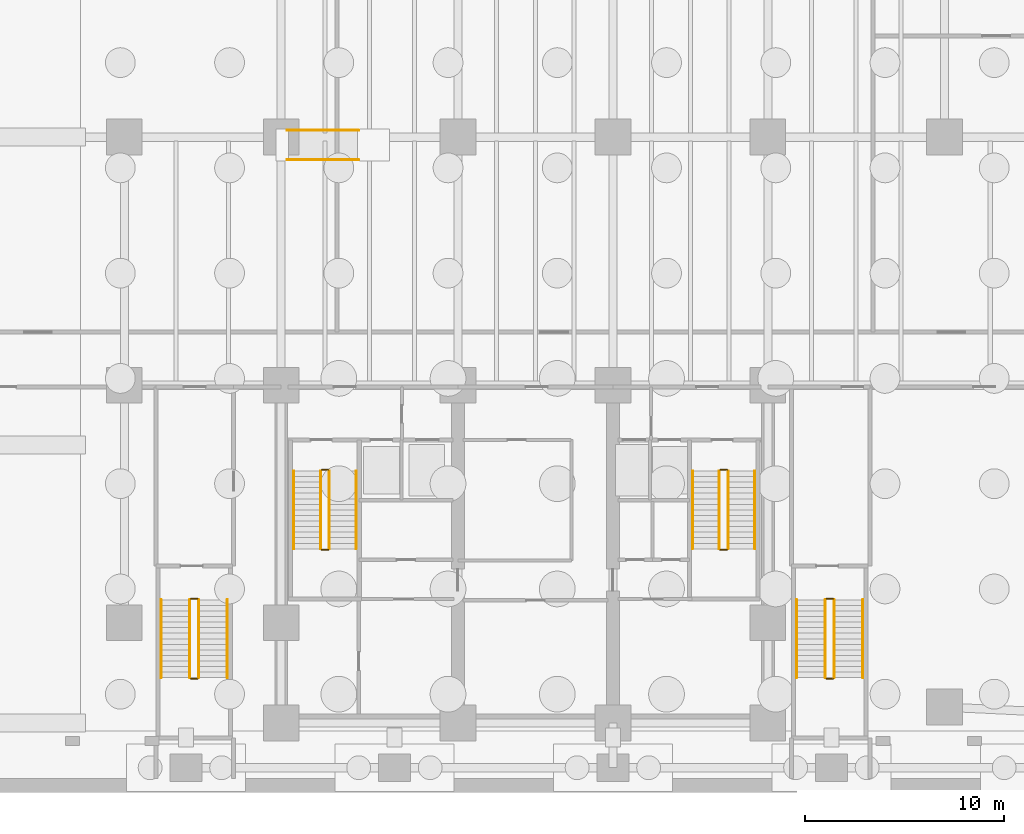
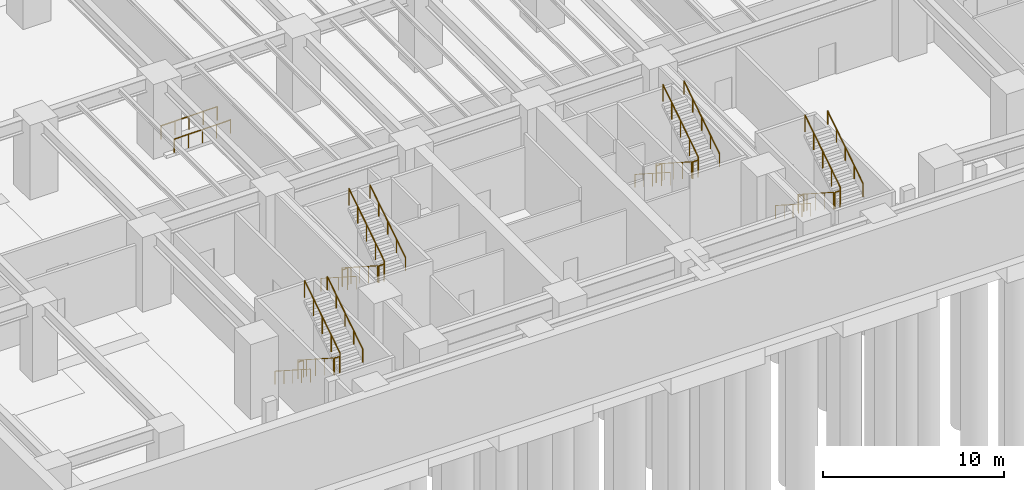
# One storey, part 11 of 12: 26 railings.
"""IFC4 building model written with IfcOpenShell, lengths in metres."""

import ifcopenshell
import ifcopenshell.guid

model = None  # the IFC model being written
_history = None  # IfcOwnerHistory: only IFC2X3 demands one
_inside = {}  # id of a spatial element -> (the spatial element, [elements in it])
_under = {}  # id of a project, library or spatial element -> (it, [spatial elements below it])
_declared = {}  # id of a project -> (the project, [libraries it declares])
_typed = {}  # id of a type object -> (the type object, [elements of that type])
_made_of = {}  # id of a material, layer set ... -> (it, [elements and type objects made of it])


def new_model(schema):
    """Start an empty IFC model of exactly this schema.

    Asked for "IFC4X3", IfcOpenShell would pick the latest addendum, in which some entities
    have other attributes; the version numbers below select the first issue.
    IFC2X3 requires an IfcOwnerHistory on every rooted entity: one is made here for all.
    """
    global model, _history
    if schema == "IFC4X3":
        model = ifcopenshell.file(schema_version=(4, 3, 0, 0))
    else:
        model = ifcopenshell.file(schema=schema)
    _inside.clear()
    _under.clear()
    _declared.clear()
    _typed.clear()
    _made_of.clear()
    _history = None
    if model.schema == "IFC2X3":
        org = make("IfcOrganization", Name="unknown")
        user = make(
            "IfcPersonAndOrganization",
            ThePerson=make("IfcPerson", FamilyName="unknown"),
            TheOrganization=org,
        )
        app = make(
            "IfcApplication",
            ApplicationDeveloper=org,
            Version="unknown",
            ApplicationFullName="unknown",
            ApplicationIdentifier="unknown",
        )
        _history = make(
            "IfcOwnerHistory",
            OwningUser=user,
            OwningApplication=app,
            ChangeAction="ADDED",
            CreationDate=0,
        )
    return model


def make(cls, **values):
    """One entity of the class cls with the attributes given. An attribute that is None is left unset."""
    return model.create_entity(
        cls, **{name: value for name, value in values.items() if value is not None}
    )


def rooted(cls, **values):
    """An entity with a GlobalId (a new one), such as an element, a storey or a relation."""
    return make(cls, GlobalId=ifcopenshell.guid.new(), OwnerHistory=_history, **values)


def si_unit(unit_type, name, prefix=None):
    """IfcSIUnit, for example si_unit("LENGTHUNIT", "METRE", prefix="MILLI")."""
    return make("IfcSIUnit", UnitType=unit_type, Prefix=prefix, Name=name)


def assignment(units):
    """IfcUnitAssignment: the units of a project."""
    return None if units is None else make("IfcUnitAssignment", Units=units)


def point(xyz):
    """IfcCartesianPoint."""
    return None if xyz is None else make("IfcCartesianPoint", Coordinates=xyz)


def direction(xyz):
    """IfcDirection."""
    return None if xyz is None else make("IfcDirection", DirectionRatios=xyz)


def frame(location, z_axis=None, x_axis=None):
    """IfcAxis2Placement3D, a coordinate frame: its origin and axes. An axis left out is left unset."""
    return make(
        "IfcAxis2Placement3D",
        Location=point(location),
        Axis=direction(z_axis),
        RefDirection=direction(x_axis),
    )


def frame_2d(location, x_axis=None):
    """IfcAxis2Placement2D, a coordinate frame in the plane: its origin and x axis."""
    return make(
        "IfcAxis2Placement2D", Location=point(location), RefDirection=direction(x_axis)
    )


def origin():
    """The frame at (0, 0, 0) with its axes left unset."""
    return frame((0.0, 0.0, 0.0))


def origin_2d():
    """The frame at (0, 0) in the plane with its x axis left unset."""
    return frame_2d((0.0, 0.0))


def place(relative_to, where):
    """IfcLocalPlacement: puts the frame where relative to a parent placement (None: the world)."""
    return make(
        "IfcLocalPlacement", PlacementRelTo=relative_to, RelativePlacement=where
    )


def context(
    kind, dimensions, precision=None, world=None, true_north=None, identifier=None
):
    """IfcGeometricRepresentationContext, for example the 3D "Model" context."""
    return make(
        "IfcGeometricRepresentationContext",
        ContextIdentifier=identifier,
        ContextType=kind,
        CoordinateSpaceDimension=dimensions,
        Precision=precision,
        WorldCoordinateSystem=world,
        TrueNorth=true_north,
    )


def subcontext(parent, identifier, kind, view, scale=None):
    """IfcGeometricRepresentationSubContext, for example "Body" below "Model"."""
    return make(
        "IfcGeometricRepresentationSubContext",
        ContextIdentifier=identifier,
        ContextType=kind,
        ParentContext=parent,
        TargetScale=scale,
        TargetView=view,
    )


def project(units=None, contexts=None):
    """IfcProject with its units and contexts."""
    return rooted(
        "IfcProject",
        Name="project",
        RepresentationContexts=contexts,
        UnitsInContext=assignment(units),
    )


def spatial(cls, under=None, at=None, **own):
    """A site, building, storey or space (cls), placed at a placement, below another one or the project."""
    s = rooted(cls, ObjectPlacement=at, **own)
    if under is not None:
        _under.setdefault(under.id(), (under, []))[1].append(s)
    return s


def profile(cls, at=None, kind="AREA", **sizes):
    """A parametric profile (cls). Its sizes go by their IFC names, for example OverallWidth=200.0."""
    return make(cls, ProfileType=kind, Position=at, **sizes)


def circle(**sizes):
    """IfcCircleProfileDef."""
    return profile("IfcCircleProfileDef", **sizes)


def extrude(swept, where, along, depth):
    """IfcExtrudedAreaSolid: the profile swept, set in the frame where, extruded along a direction by depth."""
    return make(
        "IfcExtrudedAreaSolid",
        SweptArea=swept,
        Position=where,
        ExtrudedDirection=direction(along),
        Depth=depth,
    )


def shape(context_of_items, identifier, shape_type, items):
    """IfcShapeRepresentation: the items that make up one representation, for example the "Body"."""
    return make(
        "IfcShapeRepresentation",
        ContextOfItems=context_of_items,
        RepresentationIdentifier=identifier,
        RepresentationType=shape_type,
        Items=items,
    )


def material(Name=None, Category=None):
    """IfcMaterial."""
    return make("IfcMaterial", Name=Name, Category=Category)


def made_of(thing, what):
    """Note that an element or type object is made of a material, layer set ...; save() writes the relation."""
    if what is not None:
        _made_of.setdefault(what.id(), (what, []))[1].append(thing)
    return thing


def type_object(cls, material=None, **own):
    """A type object (cls), such as IfcWallType, which elements share."""
    return made_of(rooted(cls, **own), material)


def element(
    cls,
    number,
    at=None,
    inside=None,
    cuts=None,
    type_object=None,
    material=None,
    context=None,
    identifier="Body",
    shape_type=None,
    held_by="IfcProductDefinitionShape",
    body=None,
    shapes=None,
    **own,
):
    """One element of the class cls, such as IfcWall. Its Tag is "e" and its number.

    at: its placement. inside: the storey or other place that contains it. cuts: it is an
    opening in that element (IfcRelVoidsElement). A single representation is given by context,
    identifier, shape_type and body (its items); several are given by shapes. held_by: the class
    of the entity that holds the representations. save() writes the other relations.
    """
    e = rooted(cls, Tag="e%d" % number, ObjectPlacement=at, **own)
    if body is not None:
        shapes = [shape(context, identifier, shape_type, body)]
    if shapes is not None:
        e.Representation = make(held_by, Representations=shapes)
    if inside is not None:
        _inside.setdefault(inside.id(), (inside, []))[1].append(e)
    if cuts is not None:
        rooted(
            "IfcRelVoidsElement", RelatingBuildingElement=cuts, RelatedOpeningElement=e
        )
    if type_object is not None:
        _typed.setdefault(type_object.id(), (type_object, []))[1].append(e)
    return made_of(e, material)


def aggregate(whole, parts):
    """IfcRelAggregates: a whole, such as a stair, and the parts it consists of."""
    return rooted("IfcRelAggregates", RelatingObject=whole, RelatedObjects=parts)


def save(model, path):
    """Write the relations noted so far, then the file.

    IfcRelAggregates (storeys below a building ...), IfcRelContainedInSpatialStructure (elements
    in a storey), IfcRelDefinesByType, IfcRelAssociatesMaterial and IfcRelDeclares: one each for
    every whole, place, type object, material and project.
    """
    for whole, parts in _under.values():
        aggregate(whole, parts)
    for where, things in _inside.values():
        rooted(
            "IfcRelContainedInSpatialStructure",
            RelatedElements=things,
            RelatingStructure=where,
        )
    for kind, things in _typed.values():
        rooted("IfcRelDefinesByType", RelatedObjects=things, RelatingType=kind)
    for what, things in _made_of.values():
        rooted("IfcRelAssociatesMaterial", RelatedObjects=things, RelatingMaterial=what)
    for by, libraries in _declared.values():
        rooted("IfcRelDeclares", RelatingContext=by, RelatedDefinitions=libraries)
    model.write(path)


model = new_model("IFC4")

# Units and contexts
model_context = context("Model", 3, precision=1e-05, world=origin(), true_north=direction((0.0, 1.0)))
body_context = subcontext(model_context, "Body", "Model", "MODEL_VIEW")
ifc_project = project(units=[si_unit("LENGTHUNIT", "METRE"), si_unit("AREAUNIT", "SQUARE_METRE"), si_unit("VOLUMEUNIT", "CUBIC_METRE"), si_unit("PLANEANGLEUNIT", "RADIAN"), si_unit("MASSUNIT", "GRAM", prefix="KILO")], contexts=[model_context])

# Site, building, storey
site_placement = place(None, origin())
site = spatial("IfcSite", under=ifc_project, at=site_placement, CompositionType="ELEMENT")
building_placement = place(site_placement, origin())
building = spatial("IfcBuilding", under=site, at=building_placement, Name="Qalmaran Belvedere Hotel", CompositionType="ELEMENT")
storey_placement = place(building_placement, frame((0.0, 0.0, -5.39990234375)))
storey = spatial("IfcBuildingStorey", under=building, at=storey_placement, Name="B01", CompositionType="ELEMENT", Elevation=-5.39990234375)

# Railings
ifc_material_1 = material(Name="Anodised Bronze Aluminium", Category="aluminium")
railing_type_1 = type_object("IfcRailingType", Name="RLG-RAMP-HAND-920", PredefinedType="HANDRAIL", material=ifc_material_1)
for number, where, name in (
    (1, (20.60009765625, 31.860107421875, 0.199951171875), "B01 Ramp Handrail S"),
    (2, (20.60009765625, 33.340087890625, 0.199951171875), "B01 Ramp Handrail N"),
):
    element("IfcRailing", number, at=place(storey_placement, frame(where)), inside=storey, type_object=railing_type_1, Name=name, PredefinedType="HANDRAIL", context=body_context, shape_type="SweptSolid", body=[
        extrude(circle(Radius=0.02392578125, at=origin_2d()), frame((0.0, 0.0, 0.89599609375), z_axis=(0.999938151687, 0.0, 0.011121726475), x_axis=(0.0, 1.0, 0.0)), (0.0, 0.0, 1.0), 3.60009765625),
        extrude(circle(Radius=0.02099609375, at=origin_2d()), origin(), (0.0, 0.0, 1.0), 0.871826171875),
        extrude(circle(Radius=0.02099609375, at=origin_2d()), frame((0.89990234375, 0.0, 0.010009765625)), (0.0, 0.0, 1.0), 0.871826171875),
        extrude(circle(Radius=0.02099609375, at=origin_2d()), frame((1.7998046875, 0.0, 0.02001953125)), (0.0, 0.0, 1.0), 0.871826171875),
        extrude(circle(Radius=0.02099609375, at=origin_2d()), frame((2.699951171875, 0.0, 0.030029296875)), (0.0, 0.0, 1.0), 0.871826171875),
        extrude(circle(Radius=0.02099609375, at=origin_2d()), frame((3.599853515625, 0.0, 0.0400390625)), (0.0, 0.0, 1.0), 0.871826171875),
    ])
ifc_material_2 = material(Name="Stainless Steel 1.4401", Category="steel")
railing_type_2 = type_object("IfcRailingType", Name="RLG-STAIR-GUARD-1150", PredefinedType="GUARDRAIL", material=ifc_material_2)
railing_1_placement = place(storey_placement, frame((22.280029296875, 16.18994140625, 0.179931640625)))
element("IfcRailing", 3, at=railing_1_placement, inside=storey, type_object=railing_type_2, Name="B01 ST-1 stair guard 1", PredefinedType="GUARDRAIL", context=body_context, shape_type="SweptSolid", body=[
    extrude(circle(Radius=0.02392578125, at=origin_2d()), frame((0.0, 0.0, 1.1259765625), z_axis=(0.0, -0.841171666519, 0.540768182723), x_axis=(1.0, 0.0, 0.0)), (0.0, 0.0, 1.0), 4.66015625),
    extrude(circle(Radius=0.02099609375, at=origin_2d()), origin(), (0.0, 0.0, 1.0), 1.101806640625),
    extrude(circle(Radius=0.02099609375, at=origin_2d()), frame((0.0, -0.97998046875, 0.6298828125)), (0.0, 0.0, 1.0), 1.101806640625),
    extrude(circle(Radius=0.02099609375, at=origin_2d()), frame((0.0, -1.9599609375, 1.260009765625)), (0.0, 0.0, 1.0), 1.101806640625),
    extrude(circle(Radius=0.02099609375, at=origin_2d()), frame((0.0, -2.93994140625, 1.89013671875)), (0.0, 0.0, 1.0), 1.101806640625),
    extrude(circle(Radius=0.02099609375, at=origin_2d()), frame((0.0, -3.919921875, 2.52001953125)), (0.0, 0.0, 1.0), 1.101806640625),
])
railing_2_placement = place(storey_placement, frame((22.330078125, 12.219970703125, 2.699951171875)))
element("IfcRailing", 4, at=railing_2_placement, inside=storey, type_object=railing_type_2, Name="B01 ST-1 stair guard 2", PredefinedType="GUARDRAIL", context=body_context, shape_type="SweptSolid", body=[
    extrude(circle(Radius=0.02392578125, at=origin_2d()), frame((0.0, 0.0, 1.1259765625), z_axis=(1.0, 0.0, 0.0), x_axis=(0.0, 1.0, 0.0)), (0.0, 0.0, 1.0), 0.33984375),
    extrude(circle(Radius=0.02099609375, at=origin_2d()), origin(), (0.0, 0.0, 1.0), 1.101806640625),
    extrude(circle(Radius=0.02099609375, at=origin_2d()), frame((0.33984375, 0.0, 0.0)), (0.0, 0.0, 1.0), 1.101806640625),
])
railing_3_placement = place(storey_placement, frame((22.719970703125, 12.27001953125, 2.8798828125)))
element("IfcRailing", 5, at=railing_3_placement, inside=storey, type_object=railing_type_2, Name="B01 ST-1 stair guard 3", PredefinedType="GUARDRAIL", context=body_context, shape_type="SweptSolid", body=[
    extrude(circle(Radius=0.02392578125, at=origin_2d()), frame((0.0, 0.0, 1.1259765625), z_axis=(0.0, 0.841171666519, 0.540768182723), x_axis=(-1.0, 0.0, 0.0)), (0.0, 0.0, 1.0), 4.66015625),
    extrude(circle(Radius=0.02099609375, at=origin_2d()), origin(), (0.0, 0.0, 1.0), 1.101806640625),
    extrude(circle(Radius=0.02099609375, at=origin_2d()), frame((0.0, 0.97998046875, 0.6298828125)), (0.0, 0.0, 1.0), 1.101806640625),
    extrude(circle(Radius=0.02099609375, at=origin_2d()), frame((0.0, 1.9599609375, 1.260009765625)), (0.0, 0.0, 1.0), 1.101806640625),
    extrude(circle(Radius=0.02099609375, at=origin_2d()), frame((0.0, 2.93994140625, 1.89013671875)), (0.0, 0.0, 1.0), 1.101806640625),
    extrude(circle(Radius=0.02099609375, at=origin_2d()), frame((0.0, 3.919921875, 2.52001953125)), (0.0, 0.0, 1.0), 1.101806640625),
])
railing_4_placement = place(storey_placement, frame((22.330078125, 16.239990234375, 0.0)))
element("IfcRailing", 6, at=railing_4_placement, inside=storey, type_object=railing_type_2, Name="B01 ST-1 stair guard 4", PredefinedType="GUARDRAIL", context=body_context, shape_type="SweptSolid", body=[
    extrude(circle(Radius=0.02392578125, at=origin_2d()), frame((0.0, 0.0, 1.1259765625), z_axis=(1.0, 0.0, 0.0), x_axis=(0.0, 1.0, 0.0)), (0.0, 0.0, 1.0), 0.33984375),
    extrude(circle(Radius=0.02099609375, at=origin_2d()), origin(), (0.0, 0.0, 1.0), 1.101806640625),
    extrude(circle(Radius=0.02099609375, at=origin_2d()), frame((0.33984375, 0.0, 0.0)), (0.0, 0.0, 1.0), 1.101806640625),
])
railing_5_placement = place(storey_placement, frame((42.360107421875, 16.18994140625, 0.179931640625)))
element("IfcRailing", 7, at=railing_5_placement, inside=storey, type_object=railing_type_2, Name="B01 ST-2 stair guard 1", PredefinedType="GUARDRAIL", context=body_context, shape_type="SweptSolid", body=[
    extrude(circle(Radius=0.02392578125, at=origin_2d()), frame((0.0, 0.0, 1.1259765625), z_axis=(0.0, -0.841171666519, 0.540768182723), x_axis=(1.0, 0.0, 0.0)), (0.0, 0.0, 1.0), 4.66015625),
    extrude(circle(Radius=0.02099609375, at=origin_2d()), origin(), (0.0, 0.0, 1.0), 1.101806640625),
    extrude(circle(Radius=0.02099609375, at=origin_2d()), frame((0.0, -0.97998046875, 0.6298828125)), (0.0, 0.0, 1.0), 1.101806640625),
    extrude(circle(Radius=0.02099609375, at=origin_2d()), frame((0.0, -1.9599609375, 1.260009765625)), (0.0, 0.0, 1.0), 1.101806640625),
    extrude(circle(Radius=0.02099609375, at=origin_2d()), frame((0.0, -2.93994140625, 1.89013671875)), (0.0, 0.0, 1.0), 1.101806640625),
    extrude(circle(Radius=0.02099609375, at=origin_2d()), frame((0.0, -3.919921875, 2.52001953125)), (0.0, 0.0, 1.0), 1.101806640625),
])
railing_6_placement = place(storey_placement, frame((42.409912109375, 12.219970703125, 2.699951171875)))
element("IfcRailing", 8, at=railing_6_placement, inside=storey, type_object=railing_type_2, Name="B01 ST-2 stair guard 2", PredefinedType="GUARDRAIL", context=body_context, shape_type="SweptSolid", body=[
    extrude(circle(Radius=0.02392578125, at=origin_2d()), frame((0.0, 0.0, 1.1259765625), z_axis=(1.0, 0.0, 0.0), x_axis=(0.0, 1.0, 0.0)), (0.0, 0.0, 1.0), 0.340087890625),
    extrude(circle(Radius=0.02099609375, at=origin_2d()), origin(), (0.0, 0.0, 1.0), 1.101806640625),
    extrude(circle(Radius=0.02099609375, at=origin_2d()), frame((0.340087890625, 0.0, 0.0)), (0.0, 0.0, 1.0), 1.101806640625),
])
railing_7_placement = place(storey_placement, frame((42.800048828125, 12.27001953125, 2.8798828125)))
element("IfcRailing", 9, at=railing_7_placement, inside=storey, type_object=railing_type_2, Name="B01 ST-2 stair guard 3", PredefinedType="GUARDRAIL", context=body_context, shape_type="SweptSolid", body=[
    extrude(circle(Radius=0.02392578125, at=origin_2d()), frame((0.0, 0.0, 1.1259765625), z_axis=(0.0, 0.841171666519, 0.540768182723), x_axis=(-1.0, 0.0, 0.0)), (0.0, 0.0, 1.0), 4.66015625),
    extrude(circle(Radius=0.02099609375, at=origin_2d()), origin(), (0.0, 0.0, 1.0), 1.101806640625),
    extrude(circle(Radius=0.02099609375, at=origin_2d()), frame((0.0, 0.97998046875, 0.6298828125)), (0.0, 0.0, 1.0), 1.101806640625),
    extrude(circle(Radius=0.02099609375, at=origin_2d()), frame((0.0, 1.9599609375, 1.260009765625)), (0.0, 0.0, 1.0), 1.101806640625),
    extrude(circle(Radius=0.02099609375, at=origin_2d()), frame((0.0, 2.93994140625, 1.89013671875)), (0.0, 0.0, 1.0), 1.101806640625),
    extrude(circle(Radius=0.02099609375, at=origin_2d()), frame((0.0, 3.919921875, 2.52001953125)), (0.0, 0.0, 1.0), 1.101806640625),
])
railing_8_placement = place(storey_placement, frame((42.409912109375, 16.239990234375, 0.0)))
element("IfcRailing", 10, at=railing_8_placement, inside=storey, type_object=railing_type_2, Name="B01 ST-2 stair guard 4", PredefinedType="GUARDRAIL", context=body_context, shape_type="SweptSolid", body=[
    extrude(circle(Radius=0.02392578125, at=origin_2d()), frame((0.0, 0.0, 1.1259765625), z_axis=(1.0, 0.0, 0.0), x_axis=(0.0, 1.0, 0.0)), (0.0, 0.0, 1.0), 0.340087890625),
    extrude(circle(Radius=0.02099609375, at=origin_2d()), origin(), (0.0, 0.0, 1.0), 1.101806640625),
    extrude(circle(Radius=0.02099609375, at=origin_2d()), frame((0.340087890625, 0.0, 0.0)), (0.0, 0.0, 1.0), 1.101806640625),
])
railing_9_placement = place(storey_placement, frame((15.699951171875, 9.699951171875, 0.179931640625)))
element("IfcRailing", 11, at=railing_9_placement, inside=storey, type_object=railing_type_2, Name="B01 ST-P1 stair guard 1", PredefinedType="GUARDRAIL", context=body_context, shape_type="SweptSolid", body=[
    extrude(circle(Radius=0.02392578125, at=origin_2d()), frame((0.0, 0.0, 1.1259765625), z_axis=(0.0, -0.841171666519, 0.540768182723), x_axis=(1.0, 0.0, 0.0)), (0.0, 0.0, 1.0), 4.66015625),
    extrude(circle(Radius=0.02099609375, at=origin_2d()), origin(), (0.0, 0.0, 1.0), 1.101806640625),
    extrude(circle(Radius=0.02099609375, at=origin_2d()), frame((0.0, -0.97998046875, 0.6298828125)), (0.0, 0.0, 1.0), 1.101806640625),
    extrude(circle(Radius=0.02099609375, at=origin_2d()), frame((0.0, -1.9599609375, 1.260009765625)), (0.0, 0.0, 1.0), 1.101806640625),
    extrude(circle(Radius=0.02099609375, at=origin_2d()), frame((0.0, -2.93994140625, 1.89013671875)), (0.0, 0.0, 1.0), 1.101806640625),
    extrude(circle(Radius=0.02099609375, at=origin_2d()), frame((0.0, -3.919921875, 2.52001953125)), (0.0, 0.0, 1.0), 1.101806640625),
])
railing_10_placement = place(storey_placement, frame((15.75, 5.72998046875, 2.699951171875)))
element("IfcRailing", 12, at=railing_10_placement, inside=storey, type_object=railing_type_2, Name="B01 ST-P1 stair guard 2", PredefinedType="GUARDRAIL", context=body_context, shape_type="SweptSolid", body=[
    extrude(circle(Radius=0.02392578125, at=origin_2d()), frame((0.0, 0.0, 1.1259765625), z_axis=(1.0, 0.0, 0.0), x_axis=(0.0, 1.0, 0.0)), (0.0, 0.0, 1.0), 0.340087890625),
    extrude(circle(Radius=0.02099609375, at=origin_2d()), origin(), (0.0, 0.0, 1.0), 1.101806640625),
    extrude(circle(Radius=0.02099609375, at=origin_2d()), frame((0.340087890625, 0.0, 0.0)), (0.0, 0.0, 1.0), 1.101806640625),
])
railing_11_placement = place(storey_placement, frame((16.139892578125, 5.780029296875, 2.8798828125)))
element("IfcRailing", 13, at=railing_11_placement, inside=storey, type_object=railing_type_2, Name="B01 ST-P1 stair guard 3", PredefinedType="GUARDRAIL", context=body_context, shape_type="SweptSolid", body=[
    extrude(circle(Radius=0.02392578125, at=origin_2d()), frame((0.0, 0.0, 1.1259765625), z_axis=(0.0, 0.841171666519, 0.540768182723), x_axis=(-1.0, 0.0, 0.0)), (0.0, 0.0, 1.0), 4.66015625),
    extrude(circle(Radius=0.02099609375, at=origin_2d()), origin(), (0.0, 0.0, 1.0), 1.101806640625),
    extrude(circle(Radius=0.02099609375, at=origin_2d()), frame((0.0, 0.97998046875, 0.6298828125)), (0.0, 0.0, 1.0), 1.101806640625),
    extrude(circle(Radius=0.02099609375, at=origin_2d()), frame((0.0, 1.9599609375, 1.260009765625)), (0.0, 0.0, 1.0), 1.101806640625),
    extrude(circle(Radius=0.02099609375, at=origin_2d()), frame((0.0, 2.93994140625, 1.89013671875)), (0.0, 0.0, 1.0), 1.101806640625),
    extrude(circle(Radius=0.02099609375, at=origin_2d()), frame((0.0, 3.919921875, 2.52001953125)), (0.0, 0.0, 1.0), 1.101806640625),
])
railing_12_placement = place(storey_placement, frame((15.75, 9.75, 0.0)))
element("IfcRailing", 14, at=railing_12_placement, inside=storey, type_object=railing_type_2, Name="B01 ST-P1 stair guard 4", PredefinedType="GUARDRAIL", context=body_context, shape_type="SweptSolid", body=[
    extrude(circle(Radius=0.02392578125, at=origin_2d()), frame((0.0, 0.0, 1.1259765625), z_axis=(1.0, 0.0, 0.0), x_axis=(0.0, 1.0, 0.0)), (0.0, 0.0, 1.0), 0.340087890625),
    extrude(circle(Radius=0.02099609375, at=origin_2d()), origin(), (0.0, 0.0, 1.0), 1.101806640625),
    extrude(circle(Radius=0.02099609375, at=origin_2d()), frame((0.340087890625, 0.0, 0.0)), (0.0, 0.0, 1.0), 1.101806640625),
])
railing_13_placement = place(storey_placement, frame((47.699951171875, 9.699951171875, 0.179931640625)))
element("IfcRailing", 15, at=railing_13_placement, inside=storey, type_object=railing_type_2, Name="B01 ST-P2 stair guard 1", PredefinedType="GUARDRAIL", context=body_context, shape_type="SweptSolid", body=[
    extrude(circle(Radius=0.02392578125, at=origin_2d()), frame((0.0, 0.0, 1.1259765625), z_axis=(0.0, -0.841171666519, 0.540768182723), x_axis=(1.0, 0.0, 0.0)), (0.0, 0.0, 1.0), 4.66015625),
    extrude(circle(Radius=0.02099609375, at=origin_2d()), origin(), (0.0, 0.0, 1.0), 1.101806640625),
    extrude(circle(Radius=0.02099609375, at=origin_2d()), frame((0.0, -0.97998046875, 0.6298828125)), (0.0, 0.0, 1.0), 1.101806640625),
    extrude(circle(Radius=0.02099609375, at=origin_2d()), frame((0.0, -1.9599609375, 1.260009765625)), (0.0, 0.0, 1.0), 1.101806640625),
    extrude(circle(Radius=0.02099609375, at=origin_2d()), frame((0.0, -2.93994140625, 1.89013671875)), (0.0, 0.0, 1.0), 1.101806640625),
    extrude(circle(Radius=0.02099609375, at=origin_2d()), frame((0.0, -3.919921875, 2.52001953125)), (0.0, 0.0, 1.0), 1.101806640625),
])
railing_14_placement = place(storey_placement, frame((47.75, 5.72998046875, 2.699951171875)))
element("IfcRailing", 16, at=railing_14_placement, inside=storey, type_object=railing_type_2, Name="B01 ST-P2 stair guard 2", PredefinedType="GUARDRAIL", context=body_context, shape_type="SweptSolid", body=[
    extrude(circle(Radius=0.02392578125, at=origin_2d()), frame((0.0, 0.0, 1.1259765625), z_axis=(1.0, 0.0, 0.0), x_axis=(0.0, 1.0, 0.0)), (0.0, 0.0, 1.0), 0.340087890625),
    extrude(circle(Radius=0.02099609375, at=origin_2d()), origin(), (0.0, 0.0, 1.0), 1.101806640625),
    extrude(circle(Radius=0.02099609375, at=origin_2d()), frame((0.340087890625, 0.0, 0.0)), (0.0, 0.0, 1.0), 1.101806640625),
])
railing_15_placement = place(storey_placement, frame((48.139892578125, 5.780029296875, 2.8798828125)))
element("IfcRailing", 17, at=railing_15_placement, inside=storey, type_object=railing_type_2, Name="B01 ST-P2 stair guard 3", PredefinedType="GUARDRAIL", context=body_context, shape_type="SweptSolid", body=[
    extrude(circle(Radius=0.02392578125, at=origin_2d()), frame((0.0, 0.0, 1.1259765625), z_axis=(0.0, 0.841171666519, 0.540768182723), x_axis=(-1.0, 0.0, 0.0)), (0.0, 0.0, 1.0), 4.66015625),
    extrude(circle(Radius=0.02099609375, at=origin_2d()), origin(), (0.0, 0.0, 1.0), 1.101806640625),
    extrude(circle(Radius=0.02099609375, at=origin_2d()), frame((0.0, 0.97998046875, 0.6298828125)), (0.0, 0.0, 1.0), 1.101806640625),
    extrude(circle(Radius=0.02099609375, at=origin_2d()), frame((0.0, 1.9599609375, 1.260009765625)), (0.0, 0.0, 1.0), 1.101806640625),
    extrude(circle(Radius=0.02099609375, at=origin_2d()), frame((0.0, 2.93994140625, 1.89013671875)), (0.0, 0.0, 1.0), 1.101806640625),
    extrude(circle(Radius=0.02099609375, at=origin_2d()), frame((0.0, 3.919921875, 2.52001953125)), (0.0, 0.0, 1.0), 1.101806640625),
])
railing_16_placement = place(storey_placement, frame((47.75, 9.75, 0.0)))
element("IfcRailing", 18, at=railing_16_placement, inside=storey, type_object=railing_type_2, Name="B01 ST-P2 stair guard 4", PredefinedType="GUARDRAIL", context=body_context, shape_type="SweptSolid", body=[
    extrude(circle(Radius=0.02392578125, at=origin_2d()), frame((0.0, 0.0, 1.1259765625), z_axis=(1.0, 0.0, 0.0), x_axis=(0.0, 1.0, 0.0)), (0.0, 0.0, 1.0), 0.340087890625),
    extrude(circle(Radius=0.02099609375, at=origin_2d()), origin(), (0.0, 0.0, 1.0), 1.101806640625),
    extrude(circle(Radius=0.02099609375, at=origin_2d()), frame((0.340087890625, 0.0, 0.0)), (0.0, 0.0, 1.0), 1.101806640625),
])
railing_type_3 = type_object("IfcRailingType", Name="RLG-STAIR-HAND-910", PredefinedType="HANDRAIL", material=ifc_material_2)
railing_17_placement = place(storey_placement, frame((20.929931640625, 16.18994140625, 0.179931640625)))
element("IfcRailing", 19, at=railing_17_placement, inside=storey, type_object=railing_type_3, Name="B01 ST-1 stair handrail 1", PredefinedType="HANDRAIL", context=body_context, shape_type="SweptSolid", body=[
    extrude(circle(Radius=0.02392578125, at=origin_2d()), frame((0.0, 0.0, 0.8857421875), z_axis=(0.0, -0.841171666519, 0.540768182723), x_axis=(1.0, 0.0, 0.0)), (0.0, 0.0, 1.0), 4.66015625),
    extrude(circle(Radius=0.02099609375, at=origin_2d()), origin(), (0.0, 0.0, 1.0), 0.86181640625),
    extrude(circle(Radius=0.02099609375, at=origin_2d()), frame((0.0, -0.97998046875, 0.6298828125)), (0.0, 0.0, 1.0), 0.86181640625),
    extrude(circle(Radius=0.02099609375, at=origin_2d()), frame((0.0, -1.9599609375, 1.260009765625)), (0.0, 0.0, 1.0), 0.86181640625),
    extrude(circle(Radius=0.02099609375, at=origin_2d()), frame((0.0, -2.93994140625, 1.89013671875)), (0.0, 0.0, 1.0), 0.86181640625),
    extrude(circle(Radius=0.02099609375, at=origin_2d()), frame((0.0, -3.919921875, 2.52001953125)), (0.0, 0.0, 1.0), 0.86181640625),
])
railing_18_placement = place(storey_placement, frame((24.070068359375, 12.27001953125, 2.8798828125)))
element("IfcRailing", 20, at=railing_18_placement, inside=storey, type_object=railing_type_3, Name="B01 ST-1 stair handrail 2", PredefinedType="HANDRAIL", context=body_context, shape_type="SweptSolid", body=[
    extrude(circle(Radius=0.02392578125, at=origin_2d()), frame((0.0, 0.0, 0.8857421875), z_axis=(0.0, 0.841171666519, 0.540768182723), x_axis=(-1.0, 0.0, 0.0)), (0.0, 0.0, 1.0), 4.66015625),
    extrude(circle(Radius=0.02099609375, at=origin_2d()), origin(), (0.0, 0.0, 1.0), 0.86181640625),
    extrude(circle(Radius=0.02099609375, at=origin_2d()), frame((0.0, 0.97998046875, 0.6298828125)), (0.0, 0.0, 1.0), 0.86181640625),
    extrude(circle(Radius=0.02099609375, at=origin_2d()), frame((0.0, 1.9599609375, 1.260009765625)), (0.0, 0.0, 1.0), 0.86181640625),
    extrude(circle(Radius=0.02099609375, at=origin_2d()), frame((0.0, 2.93994140625, 1.89013671875)), (0.0, 0.0, 1.0), 0.86181640625),
    extrude(circle(Radius=0.02099609375, at=origin_2d()), frame((0.0, 3.919921875, 2.52001953125)), (0.0, 0.0, 1.0), 0.86181640625),
])
railing_19_placement = place(storey_placement, frame((41.010009765625, 16.18994140625, 0.179931640625)))
element("IfcRailing", 21, at=railing_19_placement, inside=storey, type_object=railing_type_3, Name="B01 ST-2 stair handrail 1", PredefinedType="HANDRAIL", context=body_context, shape_type="SweptSolid", body=[
    extrude(circle(Radius=0.02392578125, at=origin_2d()), frame((0.0, 0.0, 0.8857421875), z_axis=(0.0, -0.841171666519, 0.540768182723), x_axis=(1.0, 0.0, 0.0)), (0.0, 0.0, 1.0), 4.66015625),
    extrude(circle(Radius=0.02099609375, at=origin_2d()), origin(), (0.0, 0.0, 1.0), 0.86181640625),
    extrude(circle(Radius=0.02099609375, at=origin_2d()), frame((0.0, -0.97998046875, 0.6298828125)), (0.0, 0.0, 1.0), 0.86181640625),
    extrude(circle(Radius=0.02099609375, at=origin_2d()), frame((0.0, -1.9599609375, 1.260009765625)), (0.0, 0.0, 1.0), 0.86181640625),
    extrude(circle(Radius=0.02099609375, at=origin_2d()), frame((0.0, -2.93994140625, 1.89013671875)), (0.0, 0.0, 1.0), 0.86181640625),
    extrude(circle(Radius=0.02099609375, at=origin_2d()), frame((0.0, -3.919921875, 2.52001953125)), (0.0, 0.0, 1.0), 0.86181640625),
])
railing_20_placement = place(storey_placement, frame((44.14990234375, 12.27001953125, 2.8798828125)))
element("IfcRailing", 22, at=railing_20_placement, inside=storey, type_object=railing_type_3, Name="B01 ST-2 stair handrail 2", PredefinedType="HANDRAIL", context=body_context, shape_type="SweptSolid", body=[
    extrude(circle(Radius=0.02392578125, at=origin_2d()), frame((0.0, 0.0, 0.8857421875), z_axis=(0.0, 0.841171666519, 0.540768182723), x_axis=(-1.0, 0.0, 0.0)), (0.0, 0.0, 1.0), 4.66015625),
    extrude(circle(Radius=0.02099609375, at=origin_2d()), origin(), (0.0, 0.0, 1.0), 0.86181640625),
    extrude(circle(Radius=0.02099609375, at=origin_2d()), frame((0.0, 0.97998046875, 0.6298828125)), (0.0, 0.0, 1.0), 0.86181640625),
    extrude(circle(Radius=0.02099609375, at=origin_2d()), frame((0.0, 1.9599609375, 1.260009765625)), (0.0, 0.0, 1.0), 0.86181640625),
    extrude(circle(Radius=0.02099609375, at=origin_2d()), frame((0.0, 2.93994140625, 1.89013671875)), (0.0, 0.0, 1.0), 0.86181640625),
    extrude(circle(Radius=0.02099609375, at=origin_2d()), frame((0.0, 3.919921875, 2.52001953125)), (0.0, 0.0, 1.0), 0.86181640625),
])
railing_21_placement = place(storey_placement, frame((14.25, 9.699951171875, 0.179931640625)))
element("IfcRailing", 23, at=railing_21_placement, inside=storey, type_object=railing_type_3, Name="B01 ST-P1 stair handrail 1", PredefinedType="HANDRAIL", context=body_context, shape_type="SweptSolid", body=[
    extrude(circle(Radius=0.02392578125, at=origin_2d()), frame((0.0, 0.0, 0.8857421875), z_axis=(0.0, -0.841171666519, 0.540768182723), x_axis=(1.0, 0.0, 0.0)), (0.0, 0.0, 1.0), 4.66015625),
    extrude(circle(Radius=0.02099609375, at=origin_2d()), origin(), (0.0, 0.0, 1.0), 0.86181640625),
    extrude(circle(Radius=0.02099609375, at=origin_2d()), frame((0.0, -0.97998046875, 0.6298828125)), (0.0, 0.0, 1.0), 0.86181640625),
    extrude(circle(Radius=0.02099609375, at=origin_2d()), frame((0.0, -1.9599609375, 1.260009765625)), (0.0, 0.0, 1.0), 0.86181640625),
    extrude(circle(Radius=0.02099609375, at=origin_2d()), frame((0.0, -2.93994140625, 1.89013671875)), (0.0, 0.0, 1.0), 0.86181640625),
    extrude(circle(Radius=0.02099609375, at=origin_2d()), frame((0.0, -3.919921875, 2.52001953125)), (0.0, 0.0, 1.0), 0.86181640625),
])
railing_22_placement = place(storey_placement, frame((17.590087890625, 5.780029296875, 2.8798828125)))
element("IfcRailing", 24, at=railing_22_placement, inside=storey, type_object=railing_type_3, Name="B01 ST-P1 stair handrail 2", PredefinedType="HANDRAIL", context=body_context, shape_type="SweptSolid", body=[
    extrude(circle(Radius=0.02392578125, at=origin_2d()), frame((0.0, 0.0, 0.8857421875), z_axis=(0.0, 0.841171666519, 0.540768182723), x_axis=(-1.0, 0.0, 0.0)), (0.0, 0.0, 1.0), 4.66015625),
    extrude(circle(Radius=0.02099609375, at=origin_2d()), origin(), (0.0, 0.0, 1.0), 0.86181640625),
    extrude(circle(Radius=0.02099609375, at=origin_2d()), frame((0.0, 0.97998046875, 0.6298828125)), (0.0, 0.0, 1.0), 0.86181640625),
    extrude(circle(Radius=0.02099609375, at=origin_2d()), frame((0.0, 1.9599609375, 1.260009765625)), (0.0, 0.0, 1.0), 0.86181640625),
    extrude(circle(Radius=0.02099609375, at=origin_2d()), frame((0.0, 2.93994140625, 1.89013671875)), (0.0, 0.0, 1.0), 0.86181640625),
    extrude(circle(Radius=0.02099609375, at=origin_2d()), frame((0.0, 3.919921875, 2.52001953125)), (0.0, 0.0, 1.0), 0.86181640625),
])
railing_23_placement = place(storey_placement, frame((46.25, 9.699951171875, 0.179931640625)))
element("IfcRailing", 25, at=railing_23_placement, inside=storey, type_object=railing_type_3, Name="B01 ST-P2 stair handrail 1", PredefinedType="HANDRAIL", context=body_context, shape_type="SweptSolid", body=[
    extrude(circle(Radius=0.02392578125, at=origin_2d()), frame((0.0, 0.0, 0.8857421875), z_axis=(0.0, -0.841171666519, 0.540768182723), x_axis=(1.0, 0.0, 0.0)), (0.0, 0.0, 1.0), 4.66015625),
    extrude(circle(Radius=0.02099609375, at=origin_2d()), origin(), (0.0, 0.0, 1.0), 0.86181640625),
    extrude(circle(Radius=0.02099609375, at=origin_2d()), frame((0.0, -0.97998046875, 0.6298828125)), (0.0, 0.0, 1.0), 0.86181640625),
    extrude(circle(Radius=0.02099609375, at=origin_2d()), frame((0.0, -1.9599609375, 1.260009765625)), (0.0, 0.0, 1.0), 0.86181640625),
    extrude(circle(Radius=0.02099609375, at=origin_2d()), frame((0.0, -2.93994140625, 1.89013671875)), (0.0, 0.0, 1.0), 0.86181640625),
    extrude(circle(Radius=0.02099609375, at=origin_2d()), frame((0.0, -3.919921875, 2.52001953125)), (0.0, 0.0, 1.0), 0.86181640625),
])
railing_24_placement = place(storey_placement, frame((49.590087890625, 5.780029296875, 2.8798828125)))
element("IfcRailing", 26, at=railing_24_placement, inside=storey, type_object=railing_type_3, Name="B01 ST-P2 stair handrail 2", PredefinedType="HANDRAIL", context=body_context, shape_type="SweptSolid", body=[
    extrude(circle(Radius=0.02392578125, at=origin_2d()), frame((0.0, 0.0, 0.8857421875), z_axis=(0.0, 0.841171666519, 0.540768182723), x_axis=(-1.0, 0.0, 0.0)), (0.0, 0.0, 1.0), 4.66015625),
    extrude(circle(Radius=0.02099609375, at=origin_2d()), origin(), (0.0, 0.0, 1.0), 0.86181640625),
    extrude(circle(Radius=0.02099609375, at=origin_2d()), frame((0.0, 0.97998046875, 0.6298828125)), (0.0, 0.0, 1.0), 0.86181640625),
    extrude(circle(Radius=0.02099609375, at=origin_2d()), frame((0.0, 1.9599609375, 1.260009765625)), (0.0, 0.0, 1.0), 0.86181640625),
    extrude(circle(Radius=0.02099609375, at=origin_2d()), frame((0.0, 2.93994140625, 1.89013671875)), (0.0, 0.0, 1.0), 0.86181640625),
    extrude(circle(Radius=0.02099609375, at=origin_2d()), frame((0.0, 3.919921875, 2.52001953125)), (0.0, 0.0, 1.0), 0.86181640625),
])

save(model, "model.ifc")
